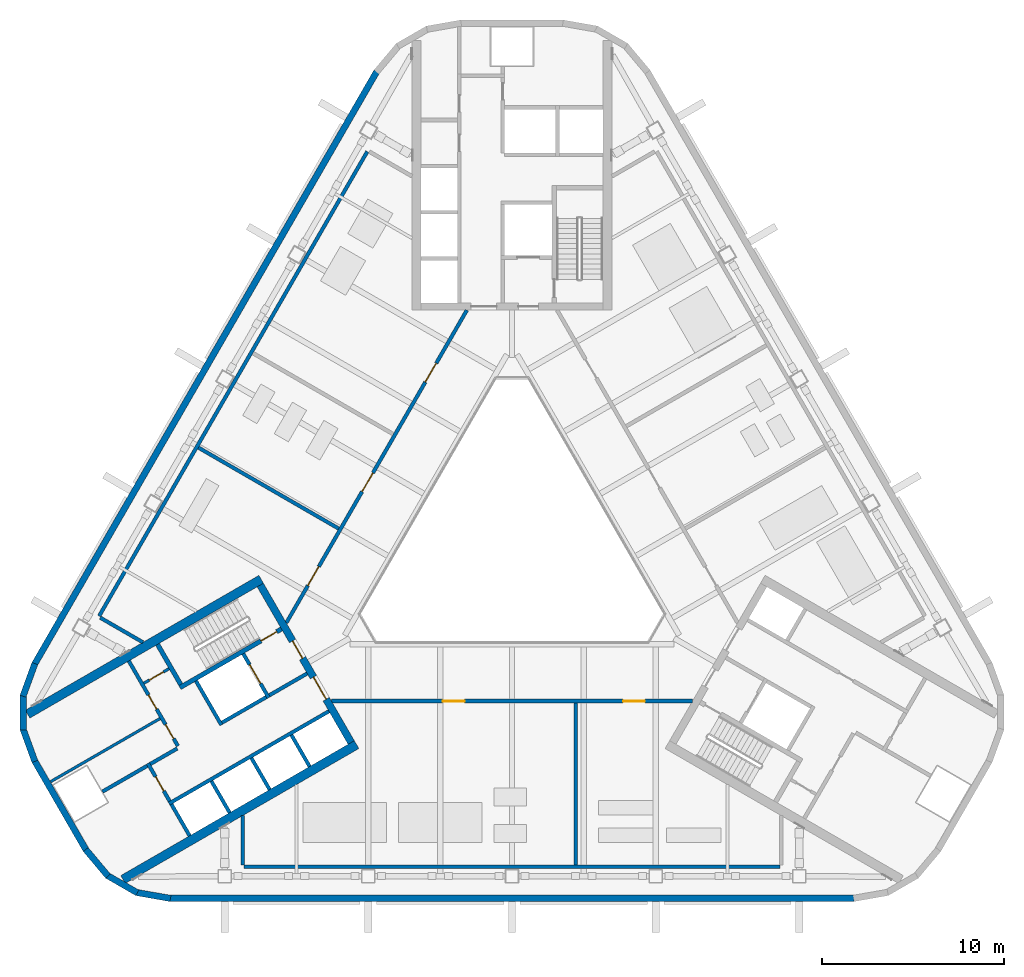
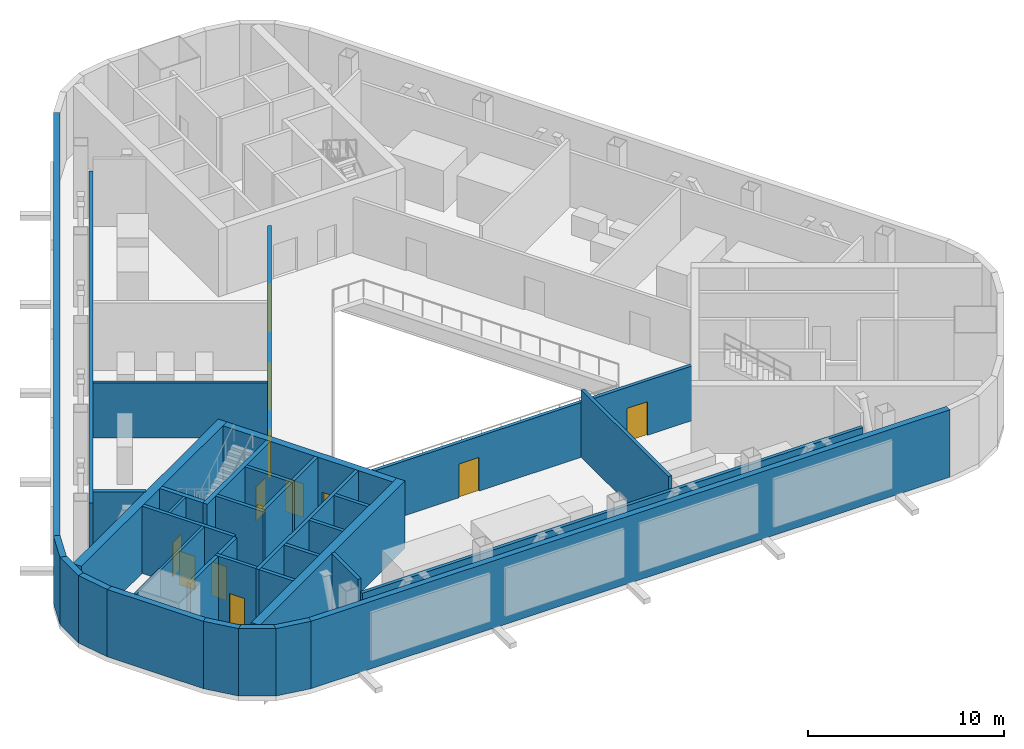
# One storey, part 7 of 15: 37 walls, 13 doors, 13 openings.
"""IFC4 building model written with IfcOpenShell, lengths in metres."""

from ifc_helpers import new_model, si_unit, direction, frame, frame_2d, origin, place, context, subcontext, project, spatial, rectangle, extrude, material, layer, layer_set, type_object, element, fill, save


model = new_model("IFC4")

# Units and contexts
model_context = context("Model", 3, precision=1e-05, world=origin(), true_north=direction((0.0, 1.0)))
body_context = subcontext(model_context, "Body", "Model", "MODEL_VIEW")
ifc_project = project(units=[si_unit("LENGTHUNIT", "METRE"), si_unit("AREAUNIT", "SQUARE_METRE"), si_unit("VOLUMEUNIT", "CUBIC_METRE"), si_unit("PLANEANGLEUNIT", "RADIAN"), si_unit("MASSUNIT", "GRAM", prefix="KILO")], contexts=[model_context])

# Site, building, storey
site_placement = place(None, origin())
site = spatial("IfcSite", under=ifc_project, at=site_placement, CompositionType="ELEMENT")
building_placement = place(site_placement, origin())
building = spatial("IfcBuilding", under=site, at=building_placement, Name="Apuvela Tower Hotel", CompositionType="ELEMENT")
storey_placement = place(building_placement, frame((0.0, 0.0, 237.699951171875)))
storey = spatial("IfcBuildingStorey", under=building, at=storey_placement, Name="L58 Plant", CompositionType="ELEMENT", Elevation=237.699951171875)

# Wall, openings, doors
ifc_material_1 = material(Name="Concrete C50/60", Category="concrete")
ifc_layer_1 = layer(ifc_material_1, 0.39990234375)
ifc_layer_set_1 = layer_set([ifc_layer_1], Name="COR-WALL-CORE-400")
wall_type_1 = type_object("IfcWallType", Name="COR-WALL-CORE-400", PredefinedType="SHEAR", material=ifc_layer_set_1)
wall_1_placement = place(storey_placement, frame((-13.844970703125, -2.219970703125, 0.0), z_axis=(0.0, 0.0, 1.0), x_axis=(0.500004234368, -0.866022959057, 0.0)))
wall_1 = element("IfcWall", 1, at=wall_1_placement, inside=storey, type_object=wall_type_1, Name="Core wall SW", PredefinedType="SHEAR", context=body_context, shape_type="SweptSolid", body=[
    extrude(rectangle(XDim=10.0, YDim=0.39990234375, at=frame_2d((5.0, 0.0))), origin(), (0.0, 0.0, 1.0), 4.199951171875),
])
opening_1_placement = place(wall_1_placement, frame((3.550048828125, 0.0, 0.0)))
opening_1 = element("IfcOpeningElement", 2, at=opening_1_placement, cuts=wall_1, Name="Opening W-FD", PredefinedType="OPENING", context=body_context, shape_type="SweptSolid", body=[
    extrude(rectangle(XDim=1.10009765625, YDim=2.10009765625, at=frame_2d((0.550048828125, 1.050048828125))), frame((0.0, 0.2099609375, 0.0), z_axis=(0.0, -1.0, 0.0), x_axis=(1.0, 0.0, 0.0)), (0.0, 0.0, 1.0), 0.419921875),
])
opening_2_placement = place(wall_1_placement, frame((5.85009765625, 0.0, 0.0)))
opening_2 = element("IfcOpeningElement", 3, at=opening_2_placement, cuts=wall_1, Name="Opening W-GD", PredefinedType="OPENING", context=body_context, shape_type="SweptSolid", body=[
    extrude(rectangle(XDim=1.39990234375, YDim=2.10009765625, at=frame_2d((0.699951171875, 1.050048828125))), frame((0.0, 0.2099609375, 0.0), z_axis=(0.0, -1.0, 0.0), x_axis=(1.0, 0.0, 0.0)), (0.0, 0.0, 1.0), 0.419921875),
])
ifc_material_2 = material(Name="Steel fire door, powder coated", Category="steel")
door_type_1 = type_object("IfcDoorType", Name="COR-FD-1100", OperationType="NOTDEFINED", PredefinedType="DOOR", material=ifc_material_2)
door_1_placement = place(opening_1_placement, frame((1.10009765625, 0.0, 0.0), z_axis=(0.0, 0.0, 1.0), x_axis=(-1.0, 0.0, 0.0)))
door_1 = element("IfcDoor", 4, at=door_1_placement, inside=storey, type_object=door_type_1, Name="Firefighting lobby door W-FD", OperationType="SINGLE_SWING_LEFT", OverallHeight=2.10009765625, OverallWidth=1.10009765625, PredefinedType="DOOR", context=body_context, shape_type="SweptSolid", body=[
    extrude(rectangle(XDim=1.10009765625, YDim=2.10009765625, at=frame_2d((0.550048828125, 1.050048828125))), frame((0.0, 0.02490234375, 0.0), z_axis=(0.0, -1.0, 0.0), x_axis=(1.0, 0.0, 0.0)), (0.0, 0.0, 1.0), 0.050048828125),
])
fill(opening_1, door_1)
ifc_material_3 = material(Name="Glazed steel fire door", Category="steel")
door_type_2 = type_object("IfcDoorType", Name="COR-GD-1400", OperationType="DOUBLE_DOOR_SINGLE_SWING", PredefinedType="DOOR", material=ifc_material_3)
door_2_placement = place(opening_2_placement, frame((1.39990234375, 0.0, 0.0), z_axis=(0.0, 0.0, 1.0), x_axis=(-1.0, 0.0, 0.0)))
door_2 = element("IfcDoor", 5, at=door_2_placement, inside=storey, type_object=door_type_2, Name="Lift lobby door W-GD", OperationType="DOUBLE_DOOR_SINGLE_SWING", OverallHeight=2.10009765625, OverallWidth=1.39990234375, PredefinedType="DOOR", context=body_context, shape_type="SweptSolid", body=[
    extrude(rectangle(XDim=1.39990234375, YDim=2.10009765625, at=frame_2d((0.699951171875, 1.050048828125))), frame((0.0, 0.02490234375, 0.0), z_axis=(0.0, -1.0, 0.0), x_axis=(1.0, 0.0, 0.0)), (0.0, 0.0, 1.0), 0.050048828125),
])
fill(opening_2, door_2)

# Walls
ifc_layer_2 = layer(ifc_material_1, 0.5)
ifc_layer_set_2 = layer_set([ifc_layer_2], Name="COR-WALL-CORE-500")
wall_type_2 = type_object("IfcWallType", Name="COR-WALL-CORE-500", PredefinedType="SHEAR", material=ifc_layer_set_2)
for number, where, z_axis, x_axis, name in (
    (6, (-13.796630859375, -1.9033203125, 0.0), (0.0, 0.0, 1.0), (-0.866025009528, -0.500000682871, 0.0), "Core wall SW"),
    (7, (-8.546630859375, -10.99658203125, 0.0), (0.0, 0.0, 1.0), (-0.866025009528, -0.500000682871, 0.0), "Core wall SW"),
):
    element("IfcWall", number, at=place(storey_placement, frame(where, z_axis=z_axis, x_axis=x_axis)), inside=storey, type_object=wall_type_2, Name=name, PredefinedType="SHEAR", context=body_context, shape_type="SweptSolid", body=[
        extrude(rectangle(XDim=14.8369140625, YDim=0.5, at=frame_2d((7.41845703125, 0.0))), origin(), (0.0, 0.0, 1.0), 4.199951171875),
    ])

# Wall, opening, door
ifc_material_4 = material(Name="Blockwork 150 mm plastered", Category="masonry")
ifc_layer_3 = layer(ifc_material_4, 0.14990234375)
ifc_layer_set_3 = layer_set([ifc_layer_3], Name="COR-WALL-PART-150")
wall_type_3 = type_object("IfcWallType", Name="COR-WALL-PART-150", PredefinedType="PARTITIONING", material=ifc_layer_set_3)
wall_2_placement = place(storey_placement, frame((-18.866455078125, -6.822265625, 0.0), z_axis=(0.0, 0.0, 1.0), x_axis=(-0.866028054938, -0.499995408039, 0.0)))
wall_2 = element("IfcWall", 8, at=wall_2_placement, inside=storey, type_object=wall_type_3, Name="Partition SW", PredefinedType="PARTITIONING", context=body_context, shape_type="SweptSolid", body=[
    extrude(rectangle(XDim=1.60009765625, YDim=0.14990234375, at=frame_2d((0.800048828125, 0.0))), origin(), (0.0, 0.0, 1.0), 4.199951171875),
])
opening_3_placement = place(wall_2_placement, frame((0.35009765625, 0.0, 0.0)))
opening_3 = element("IfcOpeningElement", 9, at=opening_3_placement, cuts=wall_2, Name="Opening W-RD", PredefinedType="OPENING", context=body_context, shape_type="SweptSolid", body=[
    extrude(rectangle(XDim=0.89990234375, YDim=2.10009765625, at=frame_2d((0.449951171875, 1.050048828125))), frame((0.0, 0.0849609375, 0.0), z_axis=(0.0, -1.0, 0.0), x_axis=(1.0, 0.0, 0.0)), (0.0, 0.0, 1.0), 0.169921875),
])
ifc_material_5 = material(Name="Steel access door, powder coated", Category="steel")
door_type_3 = type_object("IfcDoorType", Name="COR-RD-900", OperationType="NOTDEFINED", PredefinedType="DOOR", material=ifc_material_5)
door_3_placement = place(opening_3_placement, frame((0.89990234375, 0.0, 0.0), z_axis=(0.0, 0.0, 1.0), x_axis=(-1.0, 0.0, 0.0)))
door_3 = element("IfcDoor", 10, at=door_3_placement, inside=storey, type_object=door_type_3, Name="Riser door W-RD", OperationType="SINGLE_SWING_RIGHT", OverallHeight=2.10009765625, OverallWidth=0.89990234375, PredefinedType="DOOR", context=body_context, shape_type="SweptSolid", body=[
    extrude(rectangle(XDim=0.89990234375, YDim=2.10009765625, at=frame_2d((0.449951171875, 1.050048828125))), frame((0.0, 0.02490234375, 0.0), z_axis=(0.0, -1.0, 0.0), x_axis=(1.0, 0.0, 0.0)), (0.0, 0.0, 1.0), 0.050048828125),
])
fill(opening_3, door_3)

# Wall
wall_3_placement = place(storey_placement, frame((-19.36279296875, -9.5625, 0.0), z_axis=(0.0, 0.0, 1.0), x_axis=(-0.866016523273, -0.500015381182, 0.0)))
element("IfcWall", 11, at=wall_3_placement, inside=storey, type_object=wall_type_3, Name="Partition SW", PredefinedType="PARTITIONING", context=body_context, shape_type="SweptSolid", body=[
    extrude(rectangle(XDim=6.949951171875, YDim=0.14990234375, at=frame_2d((3.47509765625, 0.0))), origin(), (0.0, 0.0, 1.0), 4.199951171875),
])

# Wall, openings, doors
ifc_material_6 = material(Name="Blockwork 200 mm plastered", Category="masonry")
ifc_layer_4 = layer(ifc_material_6, 0.199951171875)
ifc_layer_set_4 = layer_set([ifc_layer_4], Name="COR-WALL-PART-200")
wall_type_4 = type_object("IfcWallType", Name="COR-WALL-PART-200", PredefinedType="PARTITIONING", material=ifc_layer_set_4)
wall_4_placement = place(storey_placement, frame((-21.076171875, -6.39501953125, 0.0), z_axis=(0.0, 0.0, 1.0), x_axis=(0.50001468107, -0.866016927499, 0.0)))
wall_4 = element("IfcWall", 12, at=wall_4_placement, inside=storey, type_object=wall_type_4, Name="Partition SW", PredefinedType="PARTITIONING", context=body_context, shape_type="SweptSolid", body=[
    extrude(rectangle(XDim=5.399658203125, YDim=0.199951171875, at=frame_2d((2.69970703125, 0.0))), origin(), (0.0, 0.0, 1.0), 4.199951171875),
])
opening_4_placement = place(wall_4_placement, frame((2.16259765625, 0.0, 0.0)))
opening_4 = element("IfcOpeningElement", 13, at=opening_4_placement, cuts=wall_4, Name="Opening W-RS1", PredefinedType="OPENING", context=body_context, shape_type="SweptSolid", body=[
    extrude(rectangle(XDim=0.89990234375, YDim=2.10009765625, at=frame_2d((0.449951171875, 1.050048828125))), frame((0.0, 0.10986328125, 0.0), z_axis=(0.0, -1.0, 0.0), x_axis=(1.0, 0.0, 0.0)), (0.0, 0.0, 1.0), 0.219970703125),
])
opening_5_placement = place(wall_4_placement, frame((4.03759765625, 0.0, 0.0)))
opening_5 = element("IfcOpeningElement", 14, at=opening_5_placement, cuts=wall_4, Name="Opening W-RS2", PredefinedType="OPENING", context=body_context, shape_type="SweptSolid", body=[
    extrude(rectangle(XDim=0.89990234375, YDim=2.10009765625, at=frame_2d((0.449951171875, 1.050048828125))), frame((0.0, 0.10986328125, 0.0), z_axis=(0.0, -1.0, 0.0), x_axis=(1.0, 0.0, 0.0)), (0.0, 0.0, 1.0), 0.219970703125),
])
door_type_4 = type_object("IfcDoorType", Name="COR-DR-900", OperationType="NOTDEFINED", PredefinedType="DOOR", material=ifc_material_2)
door_4_placement = place(opening_4_placement, frame((0.89990234375, 0.0, 0.0), z_axis=(0.0, 0.0, 1.0), x_axis=(-1.0, 0.0, 0.0)))
door_4 = element("IfcDoor", 15, at=door_4_placement, inside=storey, type_object=door_type_4, Name="Store door W-RS1", OperationType="SINGLE_SWING_LEFT", OverallHeight=2.10009765625, OverallWidth=0.89990234375, PredefinedType="DOOR", context=body_context, shape_type="SweptSolid", body=[
    extrude(rectangle(XDim=0.89990234375, YDim=2.10009765625, at=frame_2d((0.449951171875, 1.050048828125))), frame((0.0, 0.02490234375, 0.0), z_axis=(0.0, -1.0, 0.0), x_axis=(1.0, 0.0, 0.0)), (0.0, 0.0, 1.0), 0.050048828125),
])
fill(opening_4, door_4)
door_5_placement = place(opening_5_placement, frame((0.89990234375, 0.0, 0.0), z_axis=(0.0, 0.0, 1.0), x_axis=(-1.0, 0.0, 0.0)))
door_5 = element("IfcDoor", 16, at=door_5_placement, inside=storey, type_object=door_type_4, Name="Store door W-RS2", OperationType="SINGLE_SWING_LEFT", OverallHeight=2.10009765625, OverallWidth=0.89990234375, PredefinedType="DOOR", context=body_context, shape_type="SweptSolid", body=[
    extrude(rectangle(XDim=0.89990234375, YDim=2.10009765625, at=frame_2d((0.449951171875, 1.050048828125))), frame((0.0, 0.02490234375, 0.0), z_axis=(0.0, -1.0, 0.0), x_axis=(1.0, 0.0, 0.0)), (0.0, 0.0, 1.0), 0.050048828125),
])
fill(opening_5, door_5)

# Wall
ifc_layer_5 = layer(ifc_material_1, 0.199951171875)
ifc_layer_set_5 = layer_set([ifc_layer_5], Name="COR-WALL-SHAFT-200")
wall_type_5 = type_object("IfcWallType", Name="COR-WALL-SHAFT-200", PredefinedType="SHEAR", material=ifc_layer_set_5)
wall_5_placement = place(storey_placement, frame((-17.38134765625, -7.49462890625, 0.0), z_axis=(0.0, 0.0, 1.0), x_axis=(0.500011755427, -0.866018616679, 0.0)))
element("IfcWall", 17, at=wall_5_placement, inside=storey, type_object=wall_type_5, Name="Shaft wall SW", PredefinedType="SHEAR", context=body_context, shape_type="SweptSolid", body=[
    extrude(rectangle(XDim=2.80029296875, YDim=0.199951171875, at=frame_2d((1.400146484375, 0.0))), origin(), (0.0, 0.0, 1.0), 4.199951171875),
])

# Wall, opening, door
wall_6_placement = place(storey_placement, frame((-14.783203125, -5.99462890625, 0.0), z_axis=(0.0, 0.0, 1.0), x_axis=(0.49994636267, -0.866056369097, 0.0)))
wall_6 = element("IfcWall", 18, at=wall_6_placement, inside=storey, type_object=wall_type_5, Name="Shaft wall SW", PredefinedType="SHEAR", context=body_context, shape_type="SweptSolid", body=[
    extrude(rectangle(XDim=2.800048828125, YDim=0.199951171875, at=frame_2d((1.39990234375, 0.0))), origin(), (0.0, 0.0, 1.0), 4.199951171875),
])
opening_6_placement = place(wall_6_placement, frame((0.699951171875, 0.0, 0.0)))
opening_6 = element("IfcOpeningElement", 19, at=opening_6_placement, cuts=wall_6, Name="Opening W-LD-FS2", PredefinedType="OPENING", context=body_context, shape_type="SweptSolid", body=[
    extrude(rectangle(XDim=1.199951171875, YDim=2.10009765625, at=frame_2d((0.60009765625, 1.050048828125))), frame((0.0, 0.10986328125, 0.0), z_axis=(0.0, -1.0, 0.0), x_axis=(1.0, 0.0, 0.0)), (0.0, 0.0, 1.0), 0.219970703125),
])
ifc_material_7 = material(Name="Stainless steel lift landing door", Category="steel")
door_type_5 = type_object("IfcDoorType", Name="COR-LD-1200", OperationType="DOUBLE_DOOR_SLIDING", PredefinedType="DOOR", material=ifc_material_7)
door_6_placement = place(opening_6_placement, origin())
door_6 = element("IfcDoor", 20, at=door_6_placement, inside=storey, type_object=door_type_5, Name="Lift landing door W-LD-FS2", OperationType="DOUBLE_DOOR_SLIDING", OverallHeight=2.10009765625, OverallWidth=1.199951171875, PredefinedType="DOOR", context=body_context, shape_type="SweptSolid", body=[
    extrude(rectangle(XDim=1.199951171875, YDim=2.10009765625, at=frame_2d((0.60009765625, 1.050048828125))), frame((0.0, 0.02490234375, 0.0), z_axis=(0.0, -1.0, 0.0), x_axis=(1.0, 0.0, 0.0)), (0.0, 0.0, 1.0), 0.050048828125),
])
fill(opening_6, door_6)

# Walls
wall_7_placement = place(storey_placement, frame((-13.519775390625, -8.383056640625, 0.0), z_axis=(0.0, 0.0, 1.0), x_axis=(-0.866034573852, -0.49998411664, 0.0)))
element("IfcWall", 21, at=wall_7_placement, inside=storey, type_object=wall_type_5, Name="Shaft wall SW", PredefinedType="SHEAR", context=body_context, shape_type="SweptSolid", body=[
    extrude(rectangle(XDim=2.7998046875, YDim=0.199951171875, at=frame_2d((1.39990234375, 0.0))), origin(), (0.0, 0.0, 1.0), 4.199951171875),
])
wall_8_placement = place(storey_placement, frame((-11.26806640625, -7.0830078125, 0.0), z_axis=(0.0, 0.0, 1.0), x_axis=(-0.866050077142, -0.499957262057, 0.0)))
element("IfcWall", 22, at=wall_8_placement, inside=storey, type_object=wall_type_5, Name="Shaft wall SW", PredefinedType="SHEAR", context=body_context, shape_type="SweptSolid", body=[
    extrude(rectangle(XDim=2.400146484375, YDim=0.199951171875, at=frame_2d((1.2001953125, 0.0))), origin(), (0.0, 0.0, 1.0), 4.199951171875),
])
wall_9_placement = place(storey_placement, frame((-10.068115234375, -9.16162109375, 0.0), z_axis=(0.0, 0.0, 1.0), x_axis=(-0.866032725843, -0.499987317609, 0.0)))
element("IfcWall", 23, at=wall_9_placement, inside=storey, type_object=wall_type_5, Name="Shaft wall SW", PredefinedType="SHEAR", context=body_context, shape_type="SweptSolid", body=[
    extrude(rectangle(XDim=10.159912109375, YDim=0.199951171875, at=frame_2d((5.080078125, 0.0))), origin(), (0.0, 0.0, 1.0), 4.199951171875),
])

# Wall, opening, door
wall_10_placement = place(storey_placement, frame((-20.030517578125, -12.0263671875, 0.0), z_axis=(0.0, 0.0, 1.0), x_axis=(0.500033551112, -0.866006032174, 0.0)))
wall_10 = element("IfcWall", 24, at=wall_10_placement, inside=storey, type_object=wall_type_5, Name="Shaft wall SW", PredefinedType="SHEAR", context=body_context, shape_type="SweptSolid", body=[
    extrude(rectangle(XDim=2.400146484375, YDim=0.199951171875, at=frame_2d((1.2001953125, 0.0))), origin(), (0.0, 0.0, 1.0), 4.199951171875),
])
opening_7_placement = place(wall_10_placement, frame((0.85009765625, 0.0, 0.0)))
opening_7 = element("IfcOpeningElement", 25, at=opening_7_placement, cuts=wall_10, Name="Opening W-REP", PredefinedType="OPENING", context=body_context, shape_type="SweptSolid", body=[
    extrude(rectangle(XDim=0.89990234375, YDim=2.10009765625, at=frame_2d((0.449951171875, 1.050048828125))), frame((0.0, 0.10986328125, 0.0), z_axis=(0.0, -1.0, 0.0), x_axis=(1.0, 0.0, 0.0)), (0.0, 0.0, 1.0), 0.219970703125),
])
door_7_placement = place(opening_7_placement, frame((0.89990234375, 0.0, 0.0), z_axis=(0.0, 0.0, 1.0), x_axis=(-1.0, 0.0, 0.0)))
door_7 = element("IfcDoor", 26, at=door_7_placement, inside=storey, type_object=door_type_4, Name="Store door W-REP", OperationType="SINGLE_SWING_LEFT", OverallHeight=2.10009765625, OverallWidth=0.89990234375, PredefinedType="DOOR", context=body_context, shape_type="SweptSolid", body=[
    extrude(rectangle(XDim=0.89990234375, YDim=2.10009765625, at=frame_2d((0.449951171875, 1.050048828125))), frame((0.0, 0.02490234375, 0.0), z_axis=(0.0, -1.0, 0.0), x_axis=(1.0, 0.0, 0.0)), (0.0, 0.0, 1.0), 0.050048828125),
])
fill(opening_7, door_7)

# Walls
wall_11_placement = place(storey_placement, frame((-18.412841796875, -11.2080078125, 0.0), z_axis=(0.0, 0.0, 1.0), x_axis=(-0.866038183914, -0.499977863513, 0.0)))
element("IfcWall", 27, at=wall_11_placement, inside=storey, type_object=wall_type_5, Name="Shaft wall SW", PredefinedType="SHEAR", context=body_context, shape_type="SweptSolid", body=[
    extrude(rectangle(XDim=1.7099609375, YDim=0.199951171875, at=frame_2d((0.85498046875, 0.0))), origin(), (0.0, 0.0, 1.0), 4.199951171875),
])
for number, where, z_axis, x_axis, name in (
    (28, (-12.131103515625, -10.468017578125, 0.0), (0.0, 0.0, 1.0), (0.499972520799, -0.866041268327, 0.0), "Shaft wall SW"),
    (29, (-14.330810546875, -11.738037109375, 0.0), (0.0, 0.0, 1.0), (0.499972520799, -0.866041268327, 0.0), "Shaft wall SW"),
    (30, (-16.530517578125, -13.008056640625, 0.0), (0.0, 0.0, 1.0), (0.50002537861, -0.866010750942, 0.0), "Shaft wall SW"),
    (31, (-18.73046875, -14.278076171875, 0.0), (0.0, 0.0, 1.0), (0.50002537861, -0.866010750942, 0.0), "Shaft wall SW"),
):
    element("IfcWall", number, at=place(storey_placement, frame(where, z_axis=z_axis, x_axis=x_axis)), inside=storey, type_object=wall_type_5, Name=name, PredefinedType="SHEAR", context=body_context, shape_type="SweptSolid", body=[
        extrude(rectangle(XDim=2.0, YDim=0.199951171875, at=frame_2d((1.0, 0.0))), origin(), (0.0, 0.0, 1.0), 4.199951171875),
    ])
wall_12_placement = place(storey_placement, frame((-20.06689453125, -12.1630859375, 0.0), z_axis=(0.0, 0.0, 1.0), x_axis=(-0.866055327414, -0.49994816717, 0.0)))
element("IfcWall", 32, at=wall_12_placement, inside=storey, type_object=wall_type_5, Name="Shaft wall SW", PredefinedType="SHEAR", context=body_context, shape_type="SweptSolid", body=[
    extrude(rectangle(XDim=2.840087890625, YDim=0.199951171875, at=frame_2d((1.419921875, 0.0))), origin(), (0.0, 0.0, 1.0), 4.199951171875),
])

# Wall, opening, door
ifc_layer_6 = layer(ifc_material_1, 0.25)
ifc_layer_set_6 = layer_set([ifc_layer_6], Name="COR-WALL-STAIR-250")
wall_type_6 = type_object("IfcWallType", Name="COR-WALL-STAIR-250", PredefinedType="SHEAR", material=ifc_layer_set_6)
wall_13_placement = place(storey_placement, frame((-12.6806640625, -4.636474609375, 0.0), z_axis=(0.0, 0.0, 1.0), x_axis=(-0.866021702275, -0.500006411147, 0.0)))
wall_13 = element("IfcWall", 33, at=wall_13_placement, inside=storey, type_object=wall_type_6, Name="Stair wall SW", PredefinedType="SHEAR", context=body_context, shape_type="SweptSolid", body=[
    extrude(rectangle(XDim=6.4501953125, YDim=0.25, at=frame_2d((3.22509765625, 0.0))), origin(), (0.0, 0.0, 1.0), 4.199951171875),
])
opening_8_placement = place(wall_13_placement, frame((0.300048828125, 0.0, 0.0)))
opening_8 = element("IfcOpeningElement", 34, at=opening_8_placement, cuts=wall_13, Name="Opening W-SD", PredefinedType="OPENING", context=body_context, shape_type="SweptSolid", body=[
    extrude(rectangle(XDim=1.0, YDim=2.10009765625, at=frame_2d((0.5, 1.050048828125))), frame((0.0, 0.135009765625, 0.0), z_axis=(0.0, -1.0, 0.0), x_axis=(1.0, 0.0, 0.0)), (0.0, 0.0, 1.0), 0.27001953125),
])
door_type_6 = type_object("IfcDoorType", Name="COR-SD-1000", OperationType="NOTDEFINED", PredefinedType="DOOR", material=ifc_material_2)
door_8_placement = place(opening_8_placement, frame((1.0, 0.0, 0.0), z_axis=(0.0, 0.0, 1.0), x_axis=(-1.0, 0.0, 0.0)))
door_8 = element("IfcDoor", 35, at=door_8_placement, inside=storey, type_object=door_type_6, Name="Stair door W-SD", OperationType="SINGLE_SWING_LEFT", OverallHeight=2.10009765625, OverallWidth=1.0, PredefinedType="DOOR", context=body_context, shape_type="SweptSolid", body=[
    extrude(rectangle(XDim=1.0, YDim=2.10009765625, at=frame_2d((0.5, 1.050048828125))), frame((0.0, 0.02490234375, 0.0), z_axis=(0.0, -1.0, 0.0), x_axis=(1.0, 0.0, 0.0)), (0.0, 0.0, 1.0), 0.050048828125),
])
fill(opening_8, door_8)

# Walls
wall_14_placement = place(storey_placement, frame((-19.49560546875, -5.482421875, 0.0), z_axis=(0.0, 0.0, 1.0), x_axis=(0.499990435942, -0.866030925526, 0.0)))
element("IfcWall", 36, at=wall_14_placement, inside=storey, type_object=wall_type_6, Name="Stair wall SW", PredefinedType="SHEAR", context=body_context, shape_type="SweptSolid", body=[
    extrude(rectangle(XDim=2.5498046875, YDim=0.25, at=frame_2d((1.27490234375, 0.0))), origin(), (0.0, 0.0, 1.0), 4.199951171875),
])
ifc_material_8 = material(Name="Concrete C40/50, dark pigmented precast panel", Category="concrete")
ifc_layer_7 = layer(ifc_material_8, 0.35009765625)
ifc_layer_set_7 = layer_set([ifc_layer_7], Name="ENV-WALL-350")
wall_type_7 = type_object("IfcWallType", Name="ENV-WALL-350", PredefinedType="SOLIDWALL", material=ifc_layer_set_7)
wall_15_placement = place(storey_placement, frame((-7.440673828125, 26.0224609375, 0.0), z_axis=(0.0, 0.0, 1.0), x_axis=(-0.499998380999, -0.866026338513, 0.0)))
element("IfcWall", 37, at=wall_15_placement, inside=storey, type_object=wall_type_7, Name="External wall L58 Plant-07", PredefinedType="SOLIDWALL", context=body_context, shape_type="SweptSolid", body=[
    extrude(rectangle(XDim=37.63134765625, YDim=0.35009765625, at=frame_2d((18.815673828125, 0.0))), origin(), (0.0, 0.0, 1.0), 4.199951171875),
])
for number, where, z_axis, x_axis, name in (
    (38, (-26.24365234375, -6.539794921875, 0.0), (0.0, 0.0, 1.0), (-0.342030395486, -0.939688889242, 0.0), "External wall L58 Plant-08"),
    (39, (-26.88623046875, -8.27490234375, 0.0), (0.0, 0.0, 1.0), (0.0, -1.0, 0.0), "External wall L58 Plant-09"),
    (40, (-26.89697265625, -10.125244140625, 0.0), (0.0, 0.0, 1.0), (0.342030395486, -0.939688889242, 0.0), "External wall L58 Plant-10"),
):
    element("IfcWall", number, at=place(storey_placement, frame(where, z_axis=z_axis, x_axis=x_axis)), inside=storey, type_object=wall_type_7, Name=name, PredefinedType="SOLIDWALL", context=body_context, shape_type="SweptSolid", body=[
        extrude(rectangle(XDim=1.91015625, YDim=0.35009765625, at=frame_2d((0.955078125, 0.0))), origin(), (0.0, 0.0, 1.0), 4.199951171875),
    ])
wall_16_placement = place(storey_placement, frame((-26.25634765625, -11.892578125, 0.0), z_axis=(0.0, 0.0, 1.0), x_axis=(0.499986410639, -0.866033249463, 0.0)))
element("IfcWall", 41, at=wall_16_placement, inside=storey, type_object=wall_type_7, Name="External wall L58 Plant-11", PredefinedType="SOLIDWALL", context=body_context, shape_type="SweptSolid", body=[
    extrude(rectangle(XDim=5.657958984375, YDim=0.35009765625, at=frame_2d((2.8291015625, 0.0))), origin(), (0.0, 0.0, 1.0), 4.199951171875),
])
for number, where, z_axis, x_axis, name in (
    (42, (-23.44482421875, -16.767578125, 0.0), (0.0, 0.0, 1.0), (0.642808304945, -0.766027077259, 0.0), "External wall L58 Plant-12"),
    (43, (-22.263671875, -18.191650390625, 0.0), (0.0, 0.0, 1.0), (0.866000389056, -0.500043324278, 0.0), "External wall L58 Plant-13"),
):
    element("IfcWall", number, at=place(storey_placement, frame(where, z_axis=z_axis, x_axis=x_axis)), inside=storey, type_object=wall_type_7, Name=name, PredefinedType="SOLIDWALL", context=body_context, shape_type="SweptSolid", body=[
        extrude(rectangle(XDim=1.909912109375, YDim=0.35009765625, at=frame_2d((0.955078125, 0.0))), origin(), (0.0, 0.0, 1.0), 4.199951171875),
    ])
wall_17_placement = place(storey_placement, frame((-20.66650390625, -19.1259765625, 0.0), z_axis=(0.0, 0.0, 1.0), x_axis=(0.984798995425, -0.173697837091, 0.0)))
element("IfcWall", 44, at=wall_17_placement, inside=storey, type_object=wall_type_7, Name="External wall L58 Plant-14", PredefinedType="SOLIDWALL", context=body_context, shape_type="SweptSolid", body=[
    extrude(rectangle(XDim=1.91015625, YDim=0.35009765625, at=frame_2d((0.955078125, 0.0))), origin(), (0.0, 0.0, 1.0), 4.199951171875),
])
wall_18_placement = place(storey_placement, frame((-18.81591796875, -19.455078125, 0.0), z_axis=(0.0, 0.0, 1.0), x_axis=(1.0, 0.0, 0.0)))
element("IfcWall", 45, at=wall_18_placement, inside=storey, type_object=wall_type_7, Name="External wall L58 Plant-15", PredefinedType="SOLIDWALL", context=body_context, shape_type="SweptSolid", body=[
    extrude(rectangle(XDim=37.6318359375, YDim=0.35009765625, at=frame_2d((18.81591796875, 0.0))), origin(), (0.0, 0.0, 1.0), 4.199951171875),
])
ifc_material_9 = material(Name="Reinforced blockwork B15", Category="masonry")
ifc_layer_8 = layer(ifc_material_9, 0.199951171875)
ifc_layer_set_8 = layer_set([ifc_layer_8], Name="SPC-WALL-PLANT")
wall_type_8 = type_object("IfcWallType", Name="SPC-WALL-PLANT", PredefinedType="PARTITIONING", material=ifc_layer_set_8)
wall_19_placement = place(storey_placement, frame((-14.800048828125, -17.60498046875, 0.0), z_axis=(0.0, 0.0, 1.0), x_axis=(0.0, 1.0, 0.0)))
element("IfcWall", 46, at=wall_19_placement, inside=storey, type_object=wall_type_8, Name="Wall L58-S-P03", PredefinedType="PARTITIONING", context=body_context, shape_type="SweptSolid", body=[
    extrude(rectangle(XDim=2.70947265625, YDim=0.199951171875, at=frame_2d((1.354736328125, 0.0))), origin(), (0.0, 0.0, 1.0), 4.199951171875),
])
wall_20_placement = place(storey_placement, frame((3.5, -17.60498046875, 0.0), z_axis=(0.0, 0.0, 1.0), x_axis=(0.0, 1.0, 0.0)))
element("IfcWall", 47, at=wall_20_placement, inside=storey, type_object=wall_type_8, Name="Wall L58-S-P04", PredefinedType="PARTITIONING", context=body_context, shape_type="SweptSolid", body=[
    extrude(rectangle(XDim=8.905029296875, YDim=0.199951171875, at=frame_2d((4.45263671875, 0.0))), origin(), (0.0, 0.0, 1.0), 4.199951171875),
])
wall_21_placement = place(storey_placement, frame((-14.75, -17.705078125, 0.0), z_axis=(0.0, 0.0, 1.0), x_axis=(1.0, 0.0, 0.0)))
element("IfcWall", 48, at=wall_21_placement, inside=storey, type_object=wall_type_8, Name="Wall L58-S-FUR2", PredefinedType="PARTITIONING", context=body_context, shape_type="SweptSolid", body=[
    extrude(rectangle(XDim=29.5, YDim=0.199951171875, at=frame_2d((14.75, 0.0))), origin(), (0.0, 0.0, 1.0), 3.41015625),
])

# Wall, openings, doors
wall_22_placement = place(storey_placement, frame((-9.930419921875, -8.60009765625, 0.0), z_axis=(0.0, 0.0, 1.0), x_axis=(1.0, 0.0, 0.0)))
wall_22 = element("IfcWall", 49, at=wall_22_placement, inside=storey, type_object=wall_type_8, Name="Wall L58-S-CW", PredefinedType="PARTITIONING", context=body_context, shape_type="SweptSolid", body=[
    extrude(rectangle(XDim=19.86083984375, YDim=0.199951171875, at=frame_2d((9.930419921875, 0.0))), origin(), (0.0, 0.0, 1.0), 3.41015625),
])
opening_9_placement = place(wall_22_placement, frame((6.12109375, 0.0, 0.0)))
opening_9 = element("IfcOpeningElement", 50, at=opening_9_placement, cuts=wall_22, Name="Opening L58-S07", PredefinedType="OPENING", context=body_context, shape_type="SweptSolid", body=[
    extrude(rectangle(XDim=1.199951171875, YDim=2.10009765625, at=frame_2d((0.60009765625, 1.050048828125))), frame((0.0, 0.10986328125, 0.0), z_axis=(0.0, -1.0, 0.0), x_axis=(1.0, 0.0, 0.0)), (0.0, 0.0, 1.0), 0.219970703125),
])
opening_10_placement = place(wall_22_placement, frame((16.0400390625, 0.0, 0.0)))
opening_10 = element("IfcOpeningElement", 51, at=opening_10_placement, cuts=wall_22, Name="Opening L58-S08", PredefinedType="OPENING", context=body_context, shape_type="SweptSolid", body=[
    extrude(rectangle(XDim=1.199951171875, YDim=2.10009765625, at=frame_2d((0.60009765625, 1.050048828125))), frame((0.0, 0.10986328125, 0.0), z_axis=(0.0, -1.0, 0.0), x_axis=(1.0, 0.0, 0.0)), (0.0, 0.0, 1.0), 0.219970703125),
])
ifc_material_10 = material(Name="Steel fire door leaf", Category="steel")
door_type_7 = type_object("IfcDoorType", Name="SPC-DOOR-1200-PLANT", OperationType="NOTDEFINED", PredefinedType="DOOR", material=ifc_material_10)
door_9_placement = place(opening_9_placement, frame((1.199951171875, 0.0, 0.0), z_axis=(0.0, 0.0, 1.0), x_axis=(-1.0, 0.0, 0.0)))
door_9 = element("IfcDoor", 52, at=door_9_placement, inside=storey, type_object=door_type_7, Name="L58-S07", OperationType="SINGLE_SWING_RIGHT", OverallHeight=2.10009765625, OverallWidth=1.199951171875, PredefinedType="DOOR", context=body_context, shape_type="SweptSolid", body=[
    extrude(rectangle(XDim=1.199951171875, YDim=2.10009765625, at=frame_2d((0.60009765625, 1.050048828125))), frame((0.0, 0.02490234375, 0.0), z_axis=(0.0, -1.0, 0.0), x_axis=(1.0, 0.0, 0.0)), (0.0, 0.0, 1.0), 0.050048828125),
])
fill(opening_9, door_9)
door_10_placement = place(opening_10_placement, frame((1.199951171875, 0.0, 0.0), z_axis=(0.0, 0.0, 1.0), x_axis=(-1.0, 0.0, 0.0)))
door_10 = element("IfcDoor", 53, at=door_10_placement, inside=storey, type_object=door_type_7, Name="L58-S08", OperationType="SINGLE_SWING_LEFT", OverallHeight=2.10009765625, OverallWidth=1.199951171875, PredefinedType="DOOR", context=body_context, shape_type="SweptSolid", body=[
    extrude(rectangle(XDim=1.199951171875, YDim=2.10009765625, at=frame_2d((0.60009765625, 1.050048828125))), frame((0.0, 0.02490234375, 0.0), z_axis=(0.0, -1.0, 0.0), x_axis=(1.0, 0.0, 0.0)), (0.0, 0.0, 1.0), 0.050048828125),
])
fill(opening_10, door_10)

# Walls
wall_23_placement = place(storey_placement, frame((-17.246337890625, 5.33837890625, 0.0), z_axis=(0.0, 0.0, 1.0), x_axis=(0.866029443717, -0.499993002566, 0.0)))
element("IfcWall", 54, at=wall_23_placement, inside=storey, type_object=wall_type_8, Name="Wall L58-NW-P05", PredefinedType="PARTITIONING", context=body_context, shape_type="SweptSolid", body=[
    extrude(rectangle(XDim=8.905029296875, YDim=0.199951171875, at=frame_2d((4.45263671875, 0.0))), origin(), (0.0, 0.0, 1.0), 3.41015625),
])
wall_24_placement = place(storey_placement, frame((-22.646484375, -4.0146484375, 0.0), z_axis=(0.0, 0.0, 1.0), x_axis=(0.866044551023, -0.499966834543, 0.0)))
element("IfcWall", 55, at=wall_24_placement, inside=storey, type_object=wall_type_8, Name="Wall L58-NW-P06", PredefinedType="PARTITIONING", context=body_context, shape_type="SweptSolid", body=[
    extrude(rectangle(XDim=2.709716796875, YDim=0.199951171875, at=frame_2d((1.35498046875, 0.0))), origin(), (0.0, 0.0, 1.0), 4.199951171875),
])
wall_25_placement = place(storey_placement, frame((-7.9580078125, 21.62646484375, 0.0), z_axis=(0.0, 0.0, 1.0), x_axis=(-0.499998500593, -0.866026269466, 0.0)))
element("IfcWall", 56, at=wall_25_placement, inside=storey, type_object=wall_type_8, Name="Wall L58-NW-FUR1", PredefinedType="PARTITIONING", context=body_context, shape_type="SweptSolid", body=[
    extrude(rectangle(XDim=29.5, YDim=0.199951171875, at=frame_2d((14.75, 0.0))), origin(), (0.0, 0.0, 1.0), 3.41015625),
])

# Wall, openings, doors
wall_26_placement = place(storey_placement, frame((-2.482421875, 12.900146484375, 0.0), z_axis=(0.0, 0.0, 1.0), x_axis=(-0.50000478328, -0.866022642139, 0.0)))
wall_26 = element("IfcWall", 57, at=wall_26_placement, inside=storey, type_object=wall_type_8, Name="Wall L58-NW-CW", PredefinedType="PARTITIONING", context=body_context, shape_type="SweptSolid", body=[
    extrude(rectangle(XDim=19.861083984375, YDim=0.199951171875, at=frame_2d((9.9306640625, 0.0))), origin(), (0.0, 0.0, 1.0), 3.41015625),
])
opening_11_placement = place(wall_26_placement, frame((3.37109375, 0.0, 0.0)))
opening_11 = element("IfcOpeningElement", 58, at=opening_11_placement, cuts=wall_26, Name="Opening L58-S04", PredefinedType="OPENING", context=body_context, shape_type="SweptSolid", body=[
    extrude(rectangle(XDim=1.199951171875, YDim=2.10009765625, at=frame_2d((0.60009765625, 1.050048828125))), frame((0.0, 0.10986328125, 0.0), z_axis=(0.0, -1.0, 0.0), x_axis=(1.0, 0.0, 0.0)), (0.0, 0.0, 1.0), 0.219970703125),
])
opening_12_placement = place(wall_26_placement, frame((10.33056640625, 0.0, 0.0)))
opening_12 = element("IfcOpeningElement", 59, at=opening_12_placement, cuts=wall_26, Name="Opening L58-S05", PredefinedType="OPENING", context=body_context, shape_type="SweptSolid", body=[
    extrude(rectangle(XDim=1.199951171875, YDim=2.10009765625, at=frame_2d((0.60009765625, 1.050048828125))), frame((0.0, 0.10986328125, 0.0), z_axis=(0.0, -1.0, 0.0), x_axis=(1.0, 0.0, 0.0)), (0.0, 0.0, 1.0), 0.219970703125),
])
opening_13_placement = place(wall_26_placement, frame((16.2900390625, 0.0, 0.0)))
opening_13 = element("IfcOpeningElement", 60, at=opening_13_placement, cuts=wall_26, Name="Opening L58-S06", PredefinedType="OPENING", context=body_context, shape_type="SweptSolid", body=[
    extrude(rectangle(XDim=1.199951171875, YDim=2.10009765625, at=frame_2d((0.60009765625, 1.050048828125))), frame((0.0, 0.10986328125, 0.0), z_axis=(0.0, -1.0, 0.0), x_axis=(1.0, 0.0, 0.0)), (0.0, 0.0, 1.0), 0.219970703125),
])
door_11_placement = place(opening_11_placement, frame((1.199951171875, 0.0, 0.0), z_axis=(0.0, 0.0, 1.0), x_axis=(-1.0, 0.0, 0.0)))
door_11 = element("IfcDoor", 61, at=door_11_placement, inside=storey, type_object=door_type_7, Name="L58-S04", OperationType="SINGLE_SWING_LEFT", OverallHeight=2.10009765625, OverallWidth=1.199951171875, PredefinedType="DOOR", context=body_context, shape_type="SweptSolid", body=[
    extrude(rectangle(XDim=1.199951171875, YDim=2.10009765625, at=frame_2d((0.60009765625, 1.050048828125))), frame((0.0, 0.02490234375, 0.0), z_axis=(0.0, -1.0, 0.0), x_axis=(1.0, 0.0, 0.0)), (0.0, 0.0, 1.0), 0.050048828125),
])
fill(opening_11, door_11)
door_12_placement = place(opening_12_placement, frame((1.199951171875, 0.0, 0.0), z_axis=(0.0, 0.0, 1.0), x_axis=(-1.0, 0.0, 0.0)))
door_12 = element("IfcDoor", 62, at=door_12_placement, inside=storey, type_object=door_type_7, Name="L58-S05", OperationType="SINGLE_SWING_RIGHT", OverallHeight=2.10009765625, OverallWidth=1.199951171875, PredefinedType="DOOR", context=body_context, shape_type="SweptSolid", body=[
    extrude(rectangle(XDim=1.199951171875, YDim=2.10009765625, at=frame_2d((0.60009765625, 1.050048828125))), frame((0.0, 0.02490234375, 0.0), z_axis=(0.0, -1.0, 0.0), x_axis=(1.0, 0.0, 0.0)), (0.0, 0.0, 1.0), 0.050048828125),
])
fill(opening_12, door_12)
door_13_placement = place(opening_13_placement, frame((1.199951171875, 0.0, 0.0), z_axis=(0.0, 0.0, 1.0), x_axis=(-1.0, 0.0, 0.0)))
door_13 = element("IfcDoor", 63, at=door_13_placement, inside=storey, type_object=door_type_7, Name="L58-S06", OperationType="SINGLE_SWING_LEFT", OverallHeight=2.10009765625, OverallWidth=1.199951171875, PredefinedType="DOOR", context=body_context, shape_type="SweptSolid", body=[
    extrude(rectangle(XDim=1.199951171875, YDim=2.10009765625, at=frame_2d((0.60009765625, 1.050048828125))), frame((0.0, 0.02490234375, 0.0), z_axis=(0.0, -1.0, 0.0), x_axis=(1.0, 0.0, 0.0)), (0.0, 0.0, 1.0), 0.050048828125),
])
fill(opening_13, door_13)

save(model, "model.ifc")
